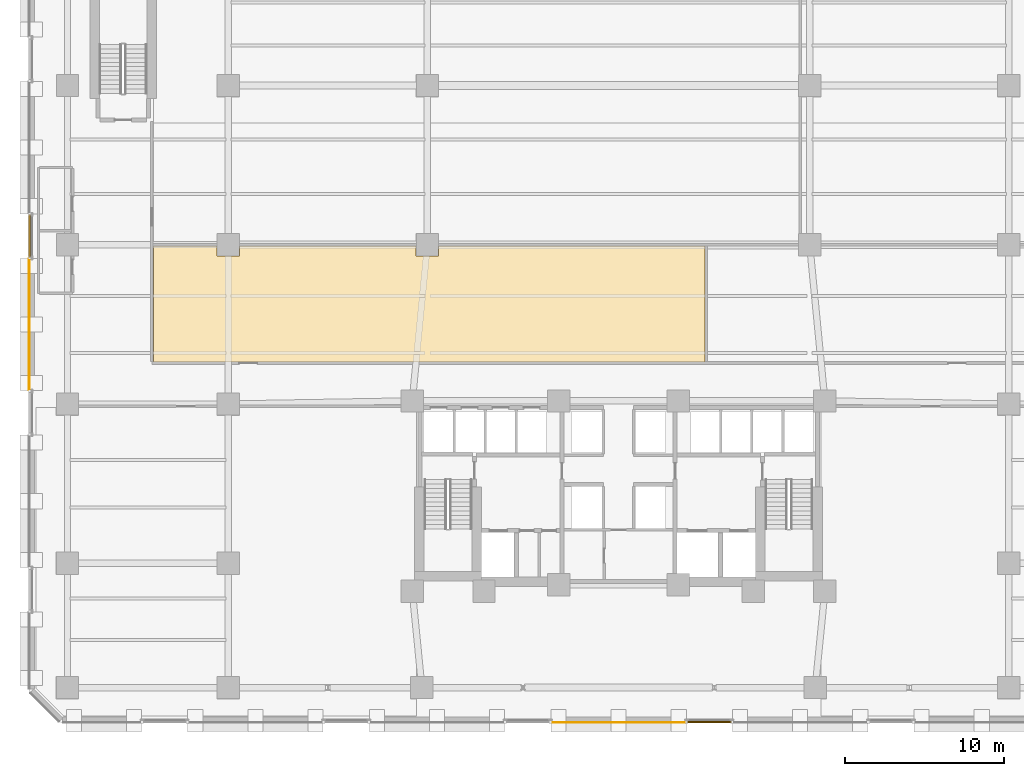
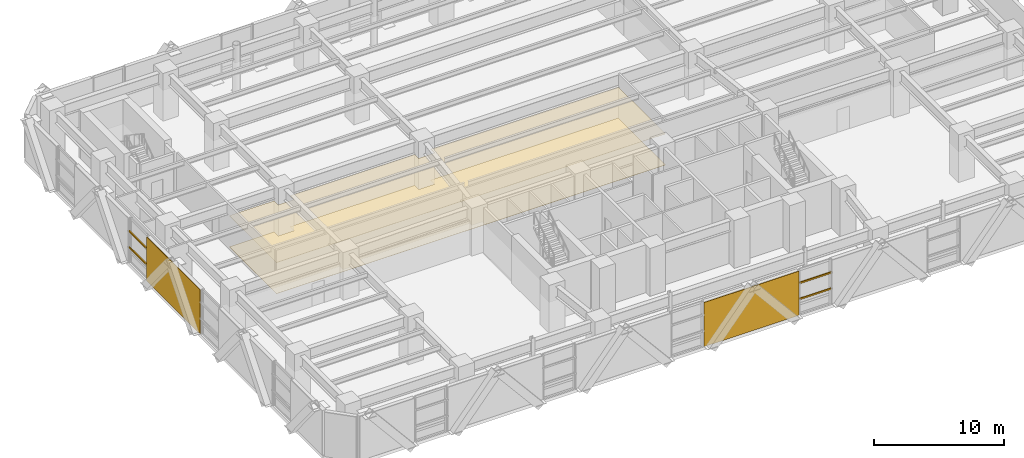
# One storey, part 21 of 26: 4 coverings, 4 shading devices.
"""IFC4 building model written with IfcOpenShell, lengths in metres."""

from ifc_helpers import new_model, si_unit, direction, frame, origin, origin_2d, place, context, subcontext, project, spatial, polyline, rectangle, outline, extrude, material, layer, layer_set, material_profile, profile_set, type_object, element, save


model = new_model("IFC4")

# Units and contexts
model_context = context("Model", 3, precision=1e-05, world=origin(), true_north=direction((0.0, 1.0)))
body_context = subcontext(model_context, "Body", "Model", "MODEL_VIEW")
ifc_project = project(units=[si_unit("LENGTHUNIT", "METRE"), si_unit("AREAUNIT", "SQUARE_METRE"), si_unit("VOLUMEUNIT", "CUBIC_METRE"), si_unit("PLANEANGLEUNIT", "RADIAN"), si_unit("MASSUNIT", "GRAM", prefix="KILO")], contexts=[model_context])

# Site, building, storey
site_placement = place(None, origin())
site = spatial("IfcSite", under=ifc_project, at=site_placement, CompositionType="ELEMENT")
building_placement = place(site_placement, origin())
building = spatial("IfcBuilding", under=site, at=building_placement, Name="Quenlor Broadcast Tower", CompositionType="ELEMENT")
storey_placement = place(building_placement, frame((0.0, 0.0, 14.0)))
storey = spatial("IfcBuildingStorey", under=building, at=storey_placement, Name="L03", CompositionType="ELEMENT", Elevation=14.0)

# Covering
ifc_material_1 = material(Name="Acoustic Mineral Fibre Board", Category="other")
ifc_layer_1 = layer(ifc_material_1, 0.02490234375)
ifc_layer_set_1 = layer_set([ifc_layer_1], Name="Acoustic Perforated Mineral Tile Ceiling 25")
covering_type_1 = type_object("IfcCoveringType", Name="Acoustic Perforated Mineral Tile Ceiling 25", PredefinedType="CEILING", material=ifc_layer_set_1)
covering_1_placement = place(storey_placement, frame((0.0, 0.0, 2.925048828125)))
element("IfcCovering", 1, at=covering_1_placement, inside=storey, type_object=covering_type_1, Name="L03 Acoustic Ceiling L03-34", PredefinedType="CEILING", context=body_context, shape_type="SweptSolid", body=[
    extrude(outline(polyline([(-25.2080078125, 4.2919921875), (-23.7919921875, 4.2919921875), (-23.7919921875, 4.919921875), (-12.7080078125, 4.919921875), (-12.7080078125, 4.2919921875), (-11.2919921875, 4.2919921875), (-11.2919921875, 4.919921875), (5.419921875, 4.919921875), (5.419921875, -2.360107421875), (-29.199951171875, -2.360107421875), (-29.199951171875, 4.919921875), (-25.2080078125, 4.919921875), (-25.2080078125, 4.2919921875)])), origin(), (0.0, 0.0, 1.0), 0.02490234375),
])

# Shading devices
ifc_material_2 = material(Name="Architectural Terracotta Ceramic", Category="masonry")
ifc_material_profile = material_profile(ifc_material_2, rectangle(XDim=0.090087890625, YDim=0.139892578125, at=origin_2d()))
ifc_profile_set = profile_set([ifc_material_profile], Name="Architectural Terracotta Ceramic BAG90x140")
shading_device_type = type_object("IfcShadingDeviceType", Name="Copper Terracotta Baguette Solar Screen 140", PredefinedType="USERDEFINED", material=ifc_profile_set)
for number, where, z_axis, x_axis, name in (
    (2, (7.109619140625, -24.972900390625, 1.511962890625), (-1.0, 0.0, 0.0), (0.0, -1.0, 0.0), "L03 Terracotta Baguette Screen 1"),
    (3, (7.109619140625, -24.972900390625, 3.02392578125), (-1.0, 0.0, 0.0), (0.0, -1.0, 0.0), "L03 Terracotta Baguette Screen 2"),
):
    element("IfcShadingDevice", number, at=place(storey_placement, frame(where, z_axis=z_axis, x_axis=x_axis)), inside=storey, type_object=shading_device_type, Name=name, ObjectType="BAGUETTE", PredefinedType="USERDEFINED", context=body_context, shape_type="SweptSolid", body=[
        extrude(rectangle(XDim=0.090087890625, YDim=0.139892578125, at=origin_2d()), origin(), (0.0, 0.0, 1.0), 2.819091796875),
    ])
for number, where, z_axis, x_axis, name in (
    (4, (-36.972900390625, 4.193603515625, 1.511962890625), (0.0, 1.0, 0.0), (-1.0, 0.0, 0.0), "L03 Terracotta Baguette Screen 1"),
    (5, (-36.972900390625, 4.193603515625, 3.02392578125), (0.0, 1.0, 0.0), (-1.0, 0.0, 0.0), "L03 Terracotta Baguette Screen 2"),
):
    element("IfcShadingDevice", number, at=place(storey_placement, frame(where, z_axis=z_axis, x_axis=x_axis)), inside=storey, type_object=shading_device_type, Name=name, ObjectType="BAGUETTE", PredefinedType="USERDEFINED", context=body_context, shape_type="SweptSolid", body=[
        extrude(rectangle(XDim=0.090087890625, YDim=0.139892578125, at=origin_2d()), origin(), (0.0, 0.0, 1.0), 2.712646484375),
    ])

# Coverings
ifc_material_3 = material(Name="Architectural Terracotta Ceramic", Category="masonry")
ifc_layer_2 = layer(ifc_material_3, 0.044921875)
ifc_layer_set_2 = layer_set([ifc_layer_2], Name="Fluted Terracotta Rainscreen Cladding Panel")
covering_type_2 = type_object("IfcCoveringType", Name="Fluted Terracotta Rainscreen Cladding Panel", PredefinedType="CLADDING", material=ifc_layer_set_2)
covering_2_placement = place(storey_placement, frame((0.0, 0.0, 0.02001953125)))
element("IfcCovering", 6, at=covering_2_placement, inside=storey, type_object=covering_type_2, Name="L03 Terracotta Rainscreen Cladding L03-S-FULL-SP4", PredefinedType="CLADDING", context=body_context, shape_type="SweptSolid", body=[
    extrude(outline(polyline([(4.219482421875, -24.971923828125), (-4.219482421875, -24.971923828125), (-4.219482421875, -25.01708984375), (4.219482421875, -25.01708984375), (4.219482421875, -24.971923828125)])), origin(), (0.0, 0.0, 1.0), 4.159912109375),
])
covering_3_placement = place(storey_placement, frame((0.0, 0.0, 0.02001953125)))
element("IfcCovering", 7, at=covering_3_placement, inside=storey, type_object=covering_type_2, Name="L03 Terracotta Rainscreen Cladding L03-W-FULL-SP3", PredefinedType="CLADDING", context=body_context, shape_type="SweptSolid", body=[
    extrude(outline(polyline([(-36.971923828125, -4.122802734375), (-36.971923828125, 4.122802734375), (-37.01708984375, 4.122802734375), (-37.01708984375, -4.122802734375), (-36.971923828125, -4.122802734375)])), origin(), (0.0, 0.0, 1.0), 4.159912109375),
])
ifc_material_4 = material(Name="Terrazzo Stone Finish", Category="masonry")
ifc_layer_3 = layer(ifc_material_4, 0.02001953125)
ifc_layer_set_3 = layer_set([ifc_layer_3], Name="Polished Sandstone Terrazzo Flooring 20")
covering_type_3 = type_object("IfcCoveringType", Name="Polished Sandstone Terrazzo Flooring 20", PredefinedType="FLOORING", material=ifc_layer_set_3)
covering_4_placement = place(storey_placement, origin())
element("IfcCovering", 8, at=covering_4_placement, inside=storey, type_object=covering_type_3, Name="L03 Terrazzo Flooring L03-34", PredefinedType="FLOORING", context=body_context, shape_type="SweptSolid", body=[
    extrude(outline(polyline([(-25.2080078125, 4.2919921875), (-23.7919921875, 4.2919921875), (-23.7919921875, 4.919921875), (-12.7080078125, 4.919921875), (-12.7080078125, 4.2919921875), (-11.2919921875, 4.2919921875), (-11.2919921875, 4.919921875), (5.419921875, 4.919921875), (5.419921875, -2.360107421875), (-29.199951171875, -2.360107421875), (-29.199951171875, 4.919921875), (-25.2080078125, 4.919921875), (-25.2080078125, 4.2919921875)])), origin(), (0.0, 0.0, 1.0), 0.02001953125),
])

save(model, "model.ifc")
